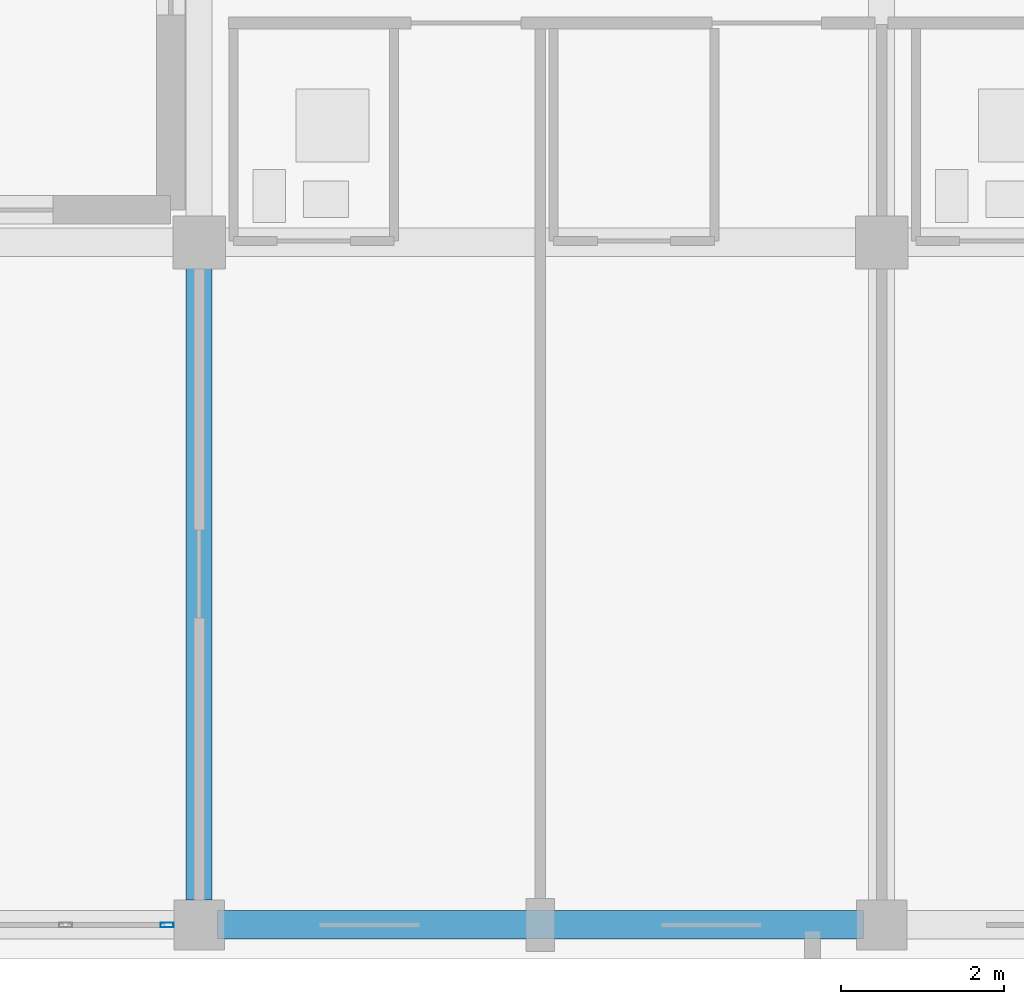
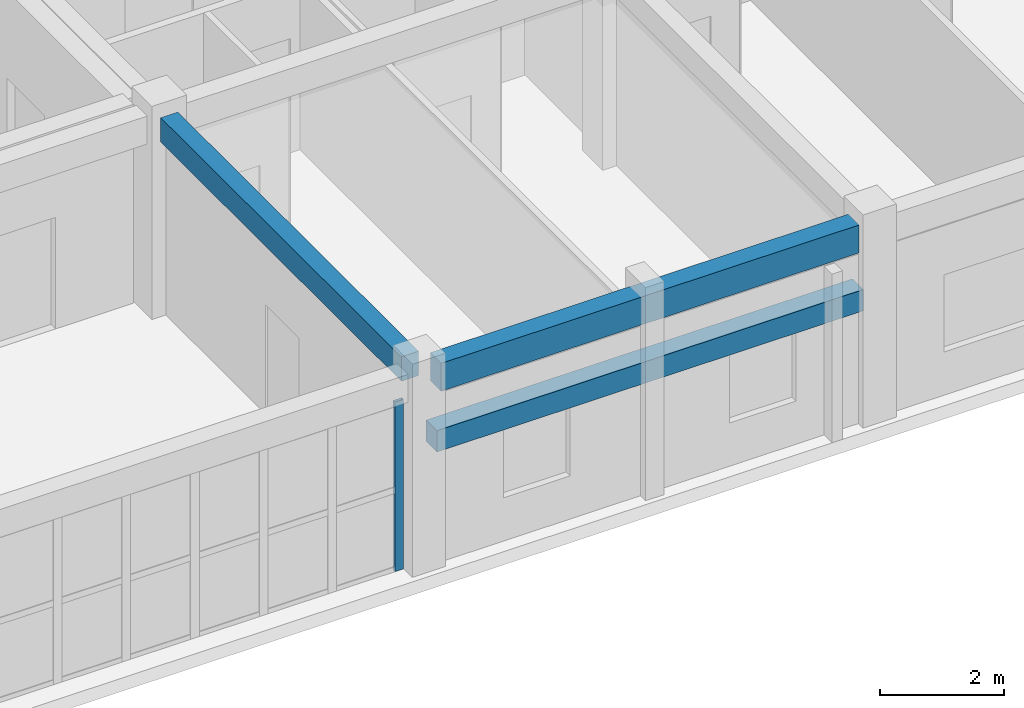
# One storey, part 12 of 81: 3 beams, 1 member, 1 element without a shape of its own.
"""IFC4 building model written with IfcOpenShell, lengths in metres."""

from ifc_helpers import new_model, si_unit, direction, frame, origin, origin_2d, place, context, subcontext, project, spatial, rectangle, hollow_rectangle, extrude, material, layer, layer_set, material_profile, profile_set, type_object, element, aggregate, save


model = new_model("IFC4")

# Units and contexts
model_context = context("Model", 3, precision=1e-05, world=origin(), true_north=direction((0.0, 1.0)))
body_context = subcontext(model_context, "Body", "Model", "MODEL_VIEW")
ifc_project = project(units=[si_unit("LENGTHUNIT", "METRE"), si_unit("AREAUNIT", "SQUARE_METRE"), si_unit("VOLUMEUNIT", "CUBIC_METRE"), si_unit("PLANEANGLEUNIT", "RADIAN"), si_unit("MASSUNIT", "GRAM", prefix="KILO")], contexts=[model_context])

# Site, building, storey
site_placement = place(None, origin())
site = spatial("IfcSite", under=ifc_project, at=site_placement, CompositionType="ELEMENT")
building_placement = place(site_placement, origin())
building = spatial("IfcBuilding", under=site, at=building_placement, Name="Trelvath General Hospital", CompositionType="ELEMENT")
storey_placement = place(building_placement, frame((0.0, 0.0, 24.60009765625)))
storey = spatial("IfcBuildingStorey", under=building, at=storey_placement, Name="L06", CompositionType="ELEMENT", Elevation=24.60009765625)

# Beams
ifc_material_1 = material(Name="Concrete C35/45", Category="concrete")
ifc_material_profile_1 = material_profile(ifc_material_1, rectangle(XDim=0.320068359375, YDim=0.47998046875, at=origin_2d()), Name="RCB320x480")
ifc_profile_set_1 = profile_set([ifc_material_profile_1], Name="Concrete C35/45")
beam_type_1 = type_object("IfcBeamType", Name="Beam RC320x480", PredefinedType="BEAM", material=ifc_profile_set_1)
beam_1_placement = place(storey_placement, frame((50.39990234375, 0.304931640625, 3.679931640625), z_axis=(0.0, 1.0, 0.0), x_axis=(-1.0, 0.0, 0.0)))
element("IfcBeam", 1, at=beam_1_placement, inside=storey, type_object=beam_type_1, Name="Grid Beam BY-606A", PredefinedType="BEAM", context=body_context, shape_type="SweptSolid", body=[
    extrude(rectangle(XDim=0.320068359375, YDim=0.47998046875, at=origin_2d()), origin(), (0.0, 0.0, 1.0), 7.775146484375),
])
ifc_material_2 = material(Name="Concrete C35/45", Category="concrete")
ifc_material_profile_2 = material_profile(ifc_material_2, rectangle(XDim=0.35009765625, YDim=0.550048828125, at=origin_2d()), Name="RCB350x550")
ifc_profile_set_2 = profile_set([ifc_material_profile_2], Name="Concrete C35/45")
beam_type_2 = type_object("IfcBeamType", Name="Beam RC350x550", PredefinedType="BEAM", material=ifc_profile_set_2)
beam_2_placement = place(storey_placement, frame((50.705078125, 0.0, 3.64501953125), z_axis=(1.0, 0.0, 0.0), x_axis=(0.0, 1.0, 0.0)))
element("IfcBeam", 2, at=beam_2_placement, inside=storey, type_object=beam_type_2, Name="Grid Beam BX-606A", PredefinedType="BEAM", context=body_context, shape_type="SweptSolid", body=[
    extrude(rectangle(XDim=0.35009765625, YDim=0.550048828125, at=origin_2d()), origin(), (0.0, 0.0, 1.0), 7.7900390625),
])

# Curtain wall, member
ifc_material_3 = material(Name="Anodised aluminium and low-E glass", Category="aluminium")
ifc_layer = layer(ifc_material_3, 0.14990234375)
ifc_layer_set = layer_set([ifc_layer], Name="Anodised aluminium and low-E glass")
curtain_wall_type = type_object("IfcCurtainWallType", Name="CW Facade 767 334 15", PredefinedType="USERDEFINED", material=ifc_layer_set)
curtain_wall_placement = place(storey_placement, origin())
curtain_wall = element("IfcCurtainWall", 3, at=curtain_wall_placement, inside=storey, type_object=curtain_wall_type, Name="Facade Curtain Wall CW-076", ObjectType="Unitised Glazed Curtain Wall", PredefinedType="USERDEFINED")
ifc_material_4 = material(Name="Anodised aluminium", Category="aluminium")
ifc_material_profile_3 = material_profile(ifc_material_4, hollow_rectangle(XDim=0.06005859375, YDim=0.159912109375, WallThickness=0.00390625, at=origin_2d()), Name="RHS60x160x4")
ifc_profile_set_3 = profile_set([ifc_material_profile_3], Name="Anodised aluminium")
member_type = type_object("IfcMemberType", Name="CurtainMullion 60x160", PredefinedType="MULLION", material=ifc_profile_set_3)
member_placement = place(storey_placement, frame((50.0048828125, 0.0, 0.0), z_axis=(0.0, 0.0, 1.0), x_axis=(0.0, -1.0, 0.0)))
member = element("IfcMember", 4, at=member_placement, type_object=member_type, Name="CW-076 mullion 1", PredefinedType="MULLION", context=body_context, shape_type="SweptSolid", body=[
    extrude(hollow_rectangle(XDim=0.06005859375, YDim=0.159912109375, WallThickness=0.00390625, at=origin_2d()), origin(), (0.0, 0.0, 1.0), 3.33984375),
])
aggregate(curtain_wall, [member])

# Beam
ifc_material_5 = material(Name="Precast concrete C40/50", Category="concrete")
ifc_material_profile_4 = material_profile(ifc_material_5, rectangle(XDim=0.35009765625, YDim=0.419921875, at=origin_2d()), Name="PCL350x420")
ifc_profile_set_4 = profile_set([ifc_material_profile_4], Name="Precast concrete C40/50")
beam_type_3 = type_object("IfcBeamType", Name="Lintel PC350x420", PredefinedType="LINTEL", material=ifc_profile_set_4)
beam_3_placement = place(storey_placement, frame((58.574951171875, 0.0, 2.409912109375), z_axis=(-1.0, 0.0, 0.0), x_axis=(0.0, -1.0, 0.0)))
element("IfcBeam", 5, at=beam_3_placement, inside=storey, type_object=beam_type_3, Name="Precast Window Brow Lintel L06-562", PredefinedType="LINTEL", context=body_context, shape_type="SweptSolid", body=[
    extrude(rectangle(XDim=0.35009765625, YDim=0.419921875, at=origin_2d()), origin(), (0.0, 0.0, 1.0), 7.949951171875),
])

save(model, "model.ifc")
